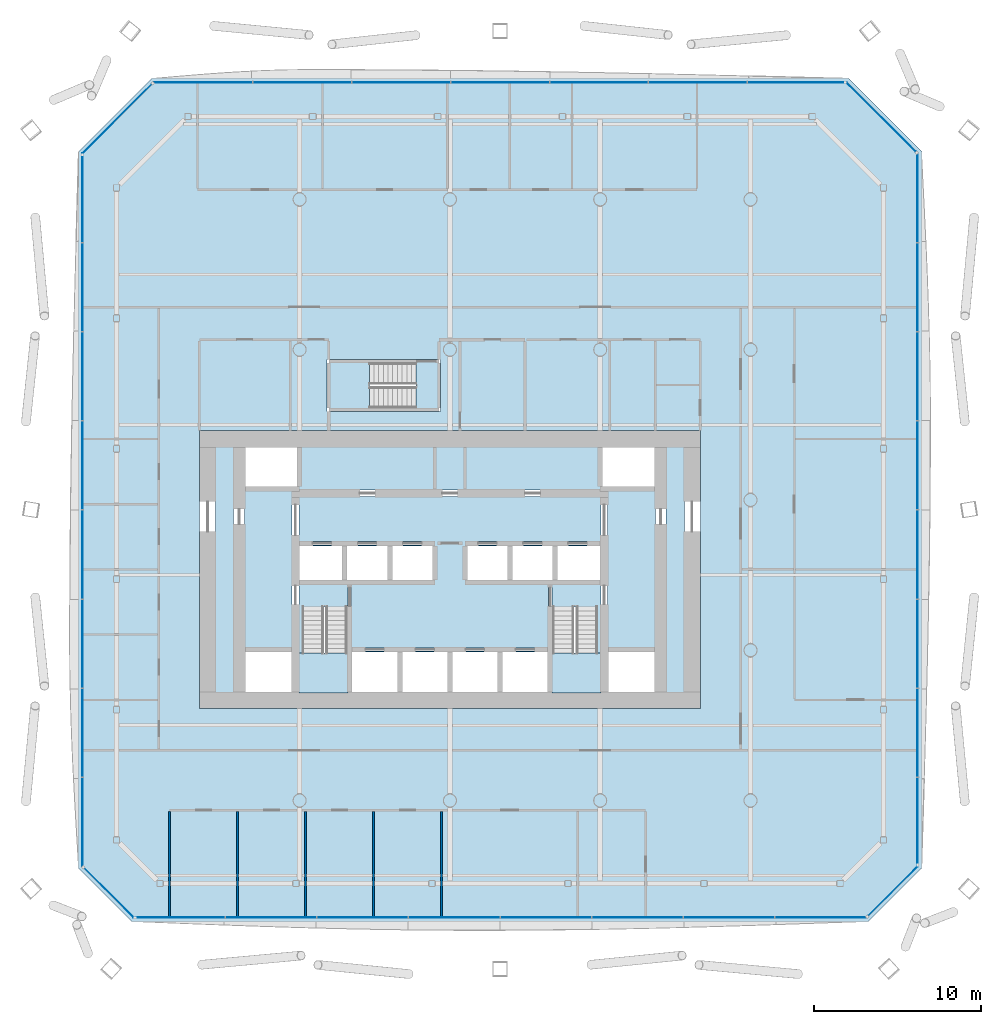
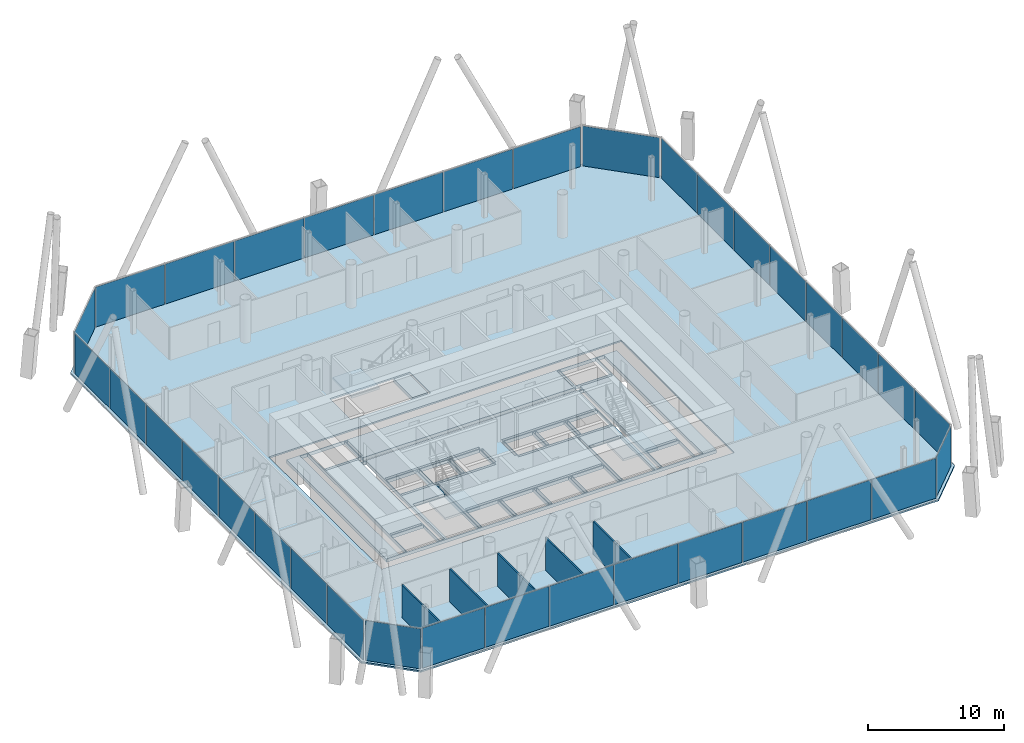
# One storey, part 13 of 22: 35 plates, 6 slabs, 5 walls, 11 elements without a shape of their own.
"""IFC4 building model written with IfcOpenShell, lengths in metres."""

from ifc_helpers import new_model, si_unit, direction, frame, frame_2d, origin, origin_2d, place, context, subcontext, project, spatial, polyline, rectangle, outline, extrude, material, layer, layer_set, type_object, element, aggregate, save


model = new_model("IFC4")

# Units and contexts
model_context = context("Model", 3, precision=1e-05, world=origin(), true_north=direction((0.0, 1.0)))
body_context = subcontext(model_context, "Body", "Model", "MODEL_VIEW")
ifc_project = project(units=[si_unit("LENGTHUNIT", "METRE"), si_unit("AREAUNIT", "SQUARE_METRE"), si_unit("VOLUMEUNIT", "CUBIC_METRE"), si_unit("PLANEANGLEUNIT", "RADIAN"), si_unit("MASSUNIT", "GRAM", prefix="KILO")], contexts=[model_context])

# Site, building, storey
site_placement = place(None, origin())
site = spatial("IfcSite", under=ifc_project, at=site_placement, CompositionType="ELEMENT")
building_placement = place(site_placement, origin())
building = spatial("IfcBuilding", under=site, at=building_placement, Name="Tskaro Facet Tower", CompositionType="ELEMENT")
storey_placement = place(building_placement, frame((0.0, 0.0, 73.800048828125)))
storey = spatial("IfcBuildingStorey", under=building, at=storey_placement, Name="L17", CompositionType="ELEMENT", Elevation=73.800048828125)

# Slab
ifc_material_1 = material(Name="Concrete C30/37", Category="concrete")
ifc_layer_1 = layer(ifc_material_1, 0.139892578125, Name="Concrete C30/37")
ifc_layer_set_1 = layer_set([ifc_layer_1], Name="Concrete C30/37")
slab_type_1 = type_object("IfcSlabType", Name="Composite deck floor slab", PredefinedType="FLOOR", material=ifc_layer_set_1)
slab_1_placement = place(storey_placement, frame((0.0, 0.0, -0.14013671875)))
element("IfcSlab", 1, at=slab_1_placement, inside=storey, type_object=slab_type_1, Name="Floor slab FS3 L17", PredefinedType="FLOOR", context=body_context, shape_type="SweptSolid", body=[
    extrude(outline(polyline([(-19.04296875, -25.260986328125), (25.04296875, -25.260986328125), (28.260986328125, -22.04296875), (28.260986328125, 20.847900390625), (23.847900390625, 25.260986328125), (-17.847900390625, 25.260986328125), (-22.260986328125, 20.847900390625), (-22.260986328125, -22.04296875), (-19.04296875, -25.260986328125)]), holes=[polyline([(-15.0, -12.5), (15.0, -12.5), (15.0, 4.14990234375), (-15.0, 4.14990234375), (-15.0, -12.5)]), polyline([(-7.35009765625, 5.300048828125), (-0.550048828125, 5.300048828125), (-0.550048828125, 8.39990234375), (-7.35009765625, 8.39990234375), (-7.35009765625, 5.300048828125)])]), origin(), (0.0, 0.0, 1.0), 0.14013671875),
])

# Curtain wall, plates
ifc_material_2 = material(Name="Bronze anodised aluminium 6063-T6", Category="aluminium")
curtain_wall_type = type_object("IfcCurtainWallType", Name="Bronze office curtain wall (FW1)", PredefinedType="NOTDEFINED", material=ifc_material_2)
curtain_wall_1_placement = place(storey_placement, origin())
curtain_wall_1 = element("IfcCurtainWall", 2, at=curtain_wall_1_placement, inside=storey, type_object=curtain_wall_type, Name="FW1 south facet L17", PredefinedType="NOTDEFINED")
ifc_material_3 = material(Name="Bronze tinted glass", Category="glass")
ifc_layer_2 = layer(ifc_material_3, 0.031982421875, Name="Bronze tinted glass")
ifc_layer_set_2 = layer_set([ifc_layer_2], Name="Bronze tinted glass")
plate_type = type_object("IfcPlateType", Name="FW1 bronze-tinted unit glazing 32", PredefinedType="CURTAIN_PANEL", material=ifc_layer_set_2)
plate_1_placement = place(storey_placement, frame((-16.131591796875, -25.010986328125, 0.0), z_axis=(0.0, 0.0, 1.0), x_axis=(1.0, 0.0, 0.0)))
plate_1 = element("IfcPlate", 3, at=plate_1_placement, type_object=plate_type, Name="FW1 south glazing 1.1", PredefinedType="CURTAIN_PANEL", context=body_context, shape_type="SweptSolid", body=[
    extrude(rectangle(XDim=5.294677734375, YDim=0.031982421875, at=origin_2d()), origin(), (0.0, 0.0, 1.0), 3.60009765625),
])
plate_2_placement = place(storey_placement, frame((-10.7119140625, -25.010986328125, 0.0), z_axis=(0.0, 0.0, 1.0), x_axis=(1.0, 0.0, 0.0)))
plate_2 = element("IfcPlate", 4, at=plate_2_placement, type_object=plate_type, Name="FW1 south glazing 2.1", PredefinedType="CURTAIN_PANEL", context=body_context, shape_type="SweptSolid", body=[
    extrude(rectangle(XDim=5.4248046875, YDim=0.031982421875, at=origin_2d()), origin(), (0.0, 0.0, 1.0), 3.60009765625),
])
plate_3_placement = place(storey_placement, frame((-5.22705078125, -25.010986328125, 0.0), z_axis=(0.0, 0.0, 1.0), x_axis=(1.0, 0.0, 0.0)))
plate_3 = element("IfcPlate", 5, at=plate_3_placement, type_object=plate_type, Name="FW1 south glazing 3.1", PredefinedType="CURTAIN_PANEL", context=body_context, shape_type="SweptSolid", body=[
    extrude(rectangle(XDim=5.4248046875, YDim=0.031982421875, at=origin_2d()), origin(), (0.0, 0.0, 1.0), 3.60009765625),
])
plate_4_placement = place(storey_placement, frame((0.257568359375, -25.010986328125, 0.0), z_axis=(0.0, 0.0, 1.0), x_axis=(1.0, 0.0, 0.0)))
plate_4 = element("IfcPlate", 6, at=plate_4_placement, type_object=plate_type, Name="FW1 south glazing 4.1", PredefinedType="CURTAIN_PANEL", context=body_context, shape_type="SweptSolid", body=[
    extrude(rectangle(XDim=5.4248046875, YDim=0.031982421875, at=origin_2d()), origin(), (0.0, 0.0, 1.0), 3.60009765625),
])
plate_5_placement = place(storey_placement, frame((5.742431640625, -25.010986328125, 0.0), z_axis=(0.0, 0.0, 1.0), x_axis=(1.0, 0.0, 0.0)))
plate_5 = element("IfcPlate", 7, at=plate_5_placement, type_object=plate_type, Name="FW1 south glazing 5.1", PredefinedType="CURTAIN_PANEL", context=body_context, shape_type="SweptSolid", body=[
    extrude(rectangle(XDim=5.4248046875, YDim=0.031982421875, at=origin_2d()), origin(), (0.0, 0.0, 1.0), 3.60009765625),
])
plate_6_placement = place(storey_placement, frame((11.22705078125, -25.010986328125, 0.0), z_axis=(0.0, 0.0, 1.0), x_axis=(1.0, 0.0, 0.0)))
plate_6 = element("IfcPlate", 8, at=plate_6_placement, type_object=plate_type, Name="FW1 south glazing 6.1", PredefinedType="CURTAIN_PANEL", context=body_context, shape_type="SweptSolid", body=[
    extrude(rectangle(XDim=5.4248046875, YDim=0.031982421875, at=origin_2d()), origin(), (0.0, 0.0, 1.0), 3.60009765625),
])
plate_7_placement = place(storey_placement, frame((16.7119140625, -25.010986328125, 0.0), z_axis=(0.0, 0.0, 1.0), x_axis=(1.0, 0.0, 0.0)))
plate_7 = element("IfcPlate", 9, at=plate_7_placement, type_object=plate_type, Name="FW1 south glazing 7.1", PredefinedType="CURTAIN_PANEL", context=body_context, shape_type="SweptSolid", body=[
    extrude(rectangle(XDim=5.4248046875, YDim=0.031982421875, at=origin_2d()), origin(), (0.0, 0.0, 1.0), 3.60009765625),
])
plate_8_placement = place(storey_placement, frame((22.211669921875, -25.010986328125, 0.0), z_axis=(0.0, 0.0, 1.0), x_axis=(1.0, 0.0, 0.0)))
plate_8 = element("IfcPlate", 10, at=plate_8_placement, type_object=plate_type, Name="FW1 south glazing 8.1", PredefinedType="CURTAIN_PANEL", context=body_context, shape_type="SweptSolid", body=[
    extrude(rectangle(XDim=5.454833984375, YDim=0.031982421875, at=origin_2d()), origin(), (0.0, 0.0, 1.0), 3.60009765625),
])
aggregate(curtain_wall_1, [plate_1, plate_2, plate_3, plate_4, plate_5, plate_6, plate_7, plate_8])

# Curtain wall, plate
curtain_wall_2_placement = place(storey_placement, origin())
curtain_wall_2 = element("IfcCurtainWall", 11, at=curtain_wall_2_placement, inside=storey, type_object=curtain_wall_type, Name="FW1 south-east facet L17", PredefinedType="NOTDEFINED")
plate_9_placement = place(storey_placement, frame((26.531494140625, -23.41845703125, 0.0), z_axis=(0.0, 0.0, 1.0), x_axis=(0.707106781187, 0.707106781187, 0.0)))
plate_9 = element("IfcPlate", 12, at=plate_9_placement, type_object=plate_type, Name="FW1 south-east glazing 1.1", PredefinedType="CURTAIN_PANEL", context=body_context, shape_type="SweptSolid", body=[
    extrude(rectangle(XDim=4.1845703125, YDim=0.031982421875, at=origin_2d()), origin(), (0.0, 0.0, 1.0), 3.60009765625),
])
aggregate(curtain_wall_2, [plate_9])

# Curtain wall, plates
curtain_wall_3_placement = place(storey_placement, origin())
curtain_wall_3 = element("IfcCurtainWall", 13, at=curtain_wall_3_placement, inside=storey, type_object=curtain_wall_type, Name="FW1 east facet L17", PredefinedType="NOTDEFINED")
plate_10_placement = place(storey_placement, frame((28.010986328125, -19.206298828125, 0.0), z_axis=(0.0, 0.0, 1.0), x_axis=(0.0, 1.0, 0.0)))
plate_10 = element("IfcPlate", 14, at=plate_10_placement, type_object=plate_type, Name="FW1 east glazing 1.1", PredefinedType="CURTAIN_PANEL", context=body_context, shape_type="SweptSolid", body=[
    extrude(rectangle(XDim=5.145263671875, YDim=0.031982421875, at=origin_2d()), origin(), (0.0, 0.0, 1.0), 3.60009765625),
])
plate_11_placement = place(storey_placement, frame((28.010986328125, -13.93603515625, 0.0), z_axis=(0.0, 0.0, 1.0), x_axis=(0.0, 1.0, 0.0)))
plate_11 = element("IfcPlate", 15, at=plate_11_placement, type_object=plate_type, Name="FW1 east glazing 2.1", PredefinedType="CURTAIN_PANEL", context=body_context, shape_type="SweptSolid", body=[
    extrude(rectangle(XDim=5.275390625, YDim=0.031982421875, at=origin_2d()), origin(), (0.0, 0.0, 1.0), 3.60009765625),
])
plate_12_placement = place(storey_placement, frame((28.010986328125, -8.6005859375, 0.0), z_axis=(0.0, 0.0, 1.0), x_axis=(0.0, 1.0, 0.0)))
plate_12 = element("IfcPlate", 16, at=plate_12_placement, type_object=plate_type, Name="FW1 east glazing 3.1", PredefinedType="CURTAIN_PANEL", context=body_context, shape_type="SweptSolid", body=[
    extrude(rectangle(XDim=5.275390625, YDim=0.031982421875, at=origin_2d()), origin(), (0.0, 0.0, 1.0), 3.60009765625),
])
plate_13_placement = place(storey_placement, frame((28.010986328125, -3.26513671875, 0.0), z_axis=(0.0, 0.0, 1.0), x_axis=(0.0, 1.0, 0.0)))
plate_13 = element("IfcPlate", 17, at=plate_13_placement, type_object=plate_type, Name="FW1 east glazing 4.1", PredefinedType="CURTAIN_PANEL", context=body_context, shape_type="SweptSolid", body=[
    extrude(rectangle(XDim=5.275390625, YDim=0.031982421875, at=origin_2d()), origin(), (0.0, 0.0, 1.0), 3.60009765625),
])
plate_14_placement = place(storey_placement, frame((28.010986328125, 2.070068359375, 0.0), z_axis=(0.0, 0.0, 1.0), x_axis=(0.0, 1.0, 0.0)))
plate_14 = element("IfcPlate", 18, at=plate_14_placement, type_object=plate_type, Name="FW1 east glazing 5.1", PredefinedType="CURTAIN_PANEL", context=body_context, shape_type="SweptSolid", body=[
    extrude(rectangle(XDim=5.275390625, YDim=0.031982421875, at=origin_2d()), origin(), (0.0, 0.0, 1.0), 3.60009765625),
])
plate_15_placement = place(storey_placement, frame((28.010986328125, 7.405517578125, 0.0), z_axis=(0.0, 0.0, 1.0), x_axis=(0.0, 1.0, 0.0)))
plate_15 = element("IfcPlate", 19, at=plate_15_placement, type_object=plate_type, Name="FW1 east glazing 6.1", PredefinedType="CURTAIN_PANEL", context=body_context, shape_type="SweptSolid", body=[
    extrude(rectangle(XDim=5.275390625, YDim=0.031982421875, at=origin_2d()), origin(), (0.0, 0.0, 1.0), 3.60009765625),
])
plate_16_placement = place(storey_placement, frame((28.010986328125, 12.740966796875, 0.0), z_axis=(0.0, 0.0, 1.0), x_axis=(0.0, 1.0, 0.0)))
plate_16 = element("IfcPlate", 20, at=plate_16_placement, type_object=plate_type, Name="FW1 east glazing 7.1", PredefinedType="CURTAIN_PANEL", context=body_context, shape_type="SweptSolid", body=[
    extrude(rectangle(XDim=5.275390625, YDim=0.031982421875, at=origin_2d()), origin(), (0.0, 0.0, 1.0), 3.60009765625),
])
plate_17_placement = place(storey_placement, frame((28.010986328125, 18.09130859375, 0.0), z_axis=(0.0, 0.0, 1.0), x_axis=(0.0, 1.0, 0.0)))
plate_17 = element("IfcPlate", 21, at=plate_17_placement, type_object=plate_type, Name="FW1 east glazing 8.1", PredefinedType="CURTAIN_PANEL", context=body_context, shape_type="SweptSolid", body=[
    extrude(rectangle(XDim=5.305419921875, YDim=0.031982421875, at=origin_2d()), origin(), (0.0, 0.0, 1.0), 3.60009765625),
])
aggregate(curtain_wall_3, [plate_10, plate_11, plate_12, plate_13, plate_14, plate_15, plate_16, plate_17])

# Curtain wall, plate
curtain_wall_4_placement = place(storey_placement, origin())
curtain_wall_4 = element("IfcCurtainWall", 22, at=curtain_wall_4_placement, inside=storey, type_object=curtain_wall_type, Name="FW1 north-east facet L17", PredefinedType="NOTDEFINED")
plate_18_placement = place(storey_placement, frame((25.821044921875, 22.93408203125, 0.0), z_axis=(0.0, 0.0, 1.0), x_axis=(-0.707106781187, 0.707106781187, 0.0)))
plate_18 = element("IfcPlate", 23, at=plate_18_placement, type_object=plate_type, Name="FW1 north-east glazing 1.1", PredefinedType="CURTAIN_PANEL", context=body_context, shape_type="SweptSolid", body=[
    extrude(rectangle(XDim=5.87451171875, YDim=0.031982421875, at=origin_2d()), origin(), (0.0, 0.0, 1.0), 3.60009765625),
])
aggregate(curtain_wall_4, [plate_18])

# Curtain wall, plates
curtain_wall_5_placement = place(storey_placement, origin())
curtain_wall_5 = element("IfcCurtainWall", 24, at=curtain_wall_5_placement, inside=storey, type_object=curtain_wall_type, Name="FW1 north facet L17", PredefinedType="NOTDEFINED")
plate_19_placement = place(storey_placement, frame((20.715576171875, 25.010986328125, 0.0), z_axis=(0.0, 0.0, 1.0), x_axis=(-1.0, 0.0, 0.0)))
plate_19 = element("IfcPlate", 25, at=plate_19_placement, type_object=plate_type, Name="FW1 north glazing 1.1", PredefinedType="CURTAIN_PANEL", context=body_context, shape_type="SweptSolid", body=[
    extrude(rectangle(XDim=5.73681640625, YDim=0.031982421875, at=origin_2d()), origin(), (0.0, 0.0, 1.0), 3.60009765625),
])
plate_20_placement = place(storey_placement, frame((14.853759765625, 25.010986328125, 0.0), z_axis=(0.0, 0.0, 1.0), x_axis=(-1.0, 0.0, 0.0)))
plate_20 = element("IfcPlate", 26, at=plate_20_placement, type_object=plate_type, Name="FW1 north glazing 2.1", PredefinedType="CURTAIN_PANEL", context=body_context, shape_type="SweptSolid", body=[
    extrude(rectangle(XDim=5.866943359375, YDim=0.031982421875, at=origin_2d()), origin(), (0.0, 0.0, 1.0), 3.60009765625),
])
plate_21_placement = place(storey_placement, frame((8.9267578125, 25.010986328125, 0.0), z_axis=(0.0, 0.0, 1.0), x_axis=(-1.0, 0.0, 0.0)))
plate_21 = element("IfcPlate", 27, at=plate_21_placement, type_object=plate_type, Name="FW1 north glazing 3.1", PredefinedType="CURTAIN_PANEL", context=body_context, shape_type="SweptSolid", body=[
    extrude(rectangle(XDim=5.866943359375, YDim=0.031982421875, at=origin_2d()), origin(), (0.0, 0.0, 1.0), 3.60009765625),
])
plate_22_placement = place(storey_placement, frame((3.0, 25.010986328125, 0.0), z_axis=(0.0, 0.0, 1.0), x_axis=(-1.0, 0.0, 0.0)))
plate_22 = element("IfcPlate", 28, at=plate_22_placement, type_object=plate_type, Name="FW1 north glazing 4.1", PredefinedType="CURTAIN_PANEL", context=body_context, shape_type="SweptSolid", body=[
    extrude(rectangle(XDim=5.866943359375, YDim=0.031982421875, at=origin_2d()), origin(), (0.0, 0.0, 1.0), 3.60009765625),
])
plate_23_placement = place(storey_placement, frame((-2.9267578125, 25.010986328125, 0.0), z_axis=(0.0, 0.0, 1.0), x_axis=(-1.0, 0.0, 0.0)))
plate_23 = element("IfcPlate", 29, at=plate_23_placement, type_object=plate_type, Name="FW1 north glazing 5.1", PredefinedType="CURTAIN_PANEL", context=body_context, shape_type="SweptSolid", body=[
    extrude(rectangle(XDim=5.866943359375, YDim=0.031982421875, at=origin_2d()), origin(), (0.0, 0.0, 1.0), 3.60009765625),
])
plate_24_placement = place(storey_placement, frame((-8.853759765625, 25.010986328125, 0.0), z_axis=(0.0, 0.0, 1.0), x_axis=(-1.0, 0.0, 0.0)))
plate_24 = element("IfcPlate", 30, at=plate_24_placement, type_object=plate_type, Name="FW1 north glazing 6.1", PredefinedType="CURTAIN_PANEL", context=body_context, shape_type="SweptSolid", body=[
    extrude(rectangle(XDim=5.866943359375, YDim=0.031982421875, at=origin_2d()), origin(), (0.0, 0.0, 1.0), 3.60009765625),
])
plate_25_placement = place(storey_placement, frame((-14.795654296875, 25.010986328125, 0.0), z_axis=(0.0, 0.0, 1.0), x_axis=(-1.0, 0.0, 0.0)))
plate_25 = element("IfcPlate", 31, at=plate_25_placement, type_object=plate_type, Name="FW1 north glazing 7.1", PredefinedType="CURTAIN_PANEL", context=body_context, shape_type="SweptSolid", body=[
    extrude(rectangle(XDim=5.89697265625, YDim=0.031982421875, at=origin_2d()), origin(), (0.0, 0.0, 1.0), 3.60009765625),
])
aggregate(curtain_wall_5, [plate_19, plate_20, plate_21, plate_22, plate_23, plate_24, plate_25])

# Curtain wall, plate
curtain_wall_6_placement = place(storey_placement, origin())
curtain_wall_6 = element("IfcCurtainWall", 32, at=curtain_wall_6_placement, inside=storey, type_object=curtain_wall_type, Name="FW1 north-west facet L17", PredefinedType="NOTDEFINED")
plate_26_placement = place(storey_placement, frame((-19.93408203125, 22.821044921875, 0.0), z_axis=(0.0, 0.0, 1.0), x_axis=(-0.707106781187, -0.707106781187, 0.0)))
plate_26 = element("IfcPlate", 33, at=plate_26_placement, type_object=plate_type, Name="FW1 north-west glazing 1.1", PredefinedType="CURTAIN_PANEL", context=body_context, shape_type="SweptSolid", body=[
    extrude(rectangle(XDim=5.87451171875, YDim=0.031982421875, at=origin_2d()), origin(), (0.0, 0.0, 1.0), 3.60009765625),
])
aggregate(curtain_wall_6, [plate_26])

# Curtain wall, plates
curtain_wall_7_placement = place(storey_placement, origin())
curtain_wall_7 = element("IfcCurtainWall", 34, at=curtain_wall_7_placement, inside=storey, type_object=curtain_wall_type, Name="FW1 west facet L17", PredefinedType="NOTDEFINED")
plate_27_placement = place(storey_placement, frame((-22.010986328125, 18.01123046875, 0.0), z_axis=(0.0, 0.0, 1.0), x_axis=(0.0, -1.0, 0.0)))
plate_27 = element("IfcPlate", 35, at=plate_27_placement, type_object=plate_type, Name="FW1 west glazing 1.1", PredefinedType="CURTAIN_PANEL", context=body_context, shape_type="SweptSolid", body=[
    extrude(rectangle(XDim=5.145263671875, YDim=0.031982421875, at=origin_2d()), origin(), (0.0, 0.0, 1.0), 3.60009765625),
])
plate_28_placement = place(storey_placement, frame((-22.010986328125, 12.740966796875, 0.0), z_axis=(0.0, 0.0, 1.0), x_axis=(0.0, -1.0, 0.0)))
plate_28 = element("IfcPlate", 36, at=plate_28_placement, type_object=plate_type, Name="FW1 west glazing 2.1", PredefinedType="CURTAIN_PANEL", context=body_context, shape_type="SweptSolid", body=[
    extrude(rectangle(XDim=5.275390625, YDim=0.031982421875, at=origin_2d()), origin(), (0.0, 0.0, 1.0), 3.60009765625),
])
plate_29_placement = place(storey_placement, frame((-22.010986328125, 7.405517578125, 0.0), z_axis=(0.0, 0.0, 1.0), x_axis=(0.0, -1.0, 0.0)))
plate_29 = element("IfcPlate", 37, at=plate_29_placement, type_object=plate_type, Name="FW1 west glazing 3.1", PredefinedType="CURTAIN_PANEL", context=body_context, shape_type="SweptSolid", body=[
    extrude(rectangle(XDim=5.275390625, YDim=0.031982421875, at=origin_2d()), origin(), (0.0, 0.0, 1.0), 3.60009765625),
])
plate_30_placement = place(storey_placement, frame((-22.010986328125, 2.070068359375, 0.0), z_axis=(0.0, 0.0, 1.0), x_axis=(0.0, -1.0, 0.0)))
plate_30 = element("IfcPlate", 38, at=plate_30_placement, type_object=plate_type, Name="FW1 west glazing 4.1", PredefinedType="CURTAIN_PANEL", context=body_context, shape_type="SweptSolid", body=[
    extrude(rectangle(XDim=5.275390625, YDim=0.031982421875, at=origin_2d()), origin(), (0.0, 0.0, 1.0), 3.60009765625),
])
plate_31_placement = place(storey_placement, frame((-22.010986328125, -3.26513671875, 0.0), z_axis=(0.0, 0.0, 1.0), x_axis=(0.0, -1.0, 0.0)))
plate_31 = element("IfcPlate", 39, at=plate_31_placement, type_object=plate_type, Name="FW1 west glazing 5.1", PredefinedType="CURTAIN_PANEL", context=body_context, shape_type="SweptSolid", body=[
    extrude(rectangle(XDim=5.275390625, YDim=0.031982421875, at=origin_2d()), origin(), (0.0, 0.0, 1.0), 3.60009765625),
])
plate_32_placement = place(storey_placement, frame((-22.010986328125, -8.6005859375, 0.0), z_axis=(0.0, 0.0, 1.0), x_axis=(0.0, -1.0, 0.0)))
plate_32 = element("IfcPlate", 40, at=plate_32_placement, type_object=plate_type, Name="FW1 west glazing 6.1", PredefinedType="CURTAIN_PANEL", context=body_context, shape_type="SweptSolid", body=[
    extrude(rectangle(XDim=5.275390625, YDim=0.031982421875, at=origin_2d()), origin(), (0.0, 0.0, 1.0), 3.60009765625),
])
plate_33_placement = place(storey_placement, frame((-22.010986328125, -13.93603515625, 0.0), z_axis=(0.0, 0.0, 1.0), x_axis=(0.0, -1.0, 0.0)))
plate_33 = element("IfcPlate", 41, at=plate_33_placement, type_object=plate_type, Name="FW1 west glazing 7.1", PredefinedType="CURTAIN_PANEL", context=body_context, shape_type="SweptSolid", body=[
    extrude(rectangle(XDim=5.275390625, YDim=0.031982421875, at=origin_2d()), origin(), (0.0, 0.0, 1.0), 3.60009765625),
])
plate_34_placement = place(storey_placement, frame((-22.010986328125, -19.286376953125, 0.0), z_axis=(0.0, 0.0, 1.0), x_axis=(0.0, -1.0, 0.0)))
plate_34 = element("IfcPlate", 42, at=plate_34_placement, type_object=plate_type, Name="FW1 west glazing 8.1", PredefinedType="CURTAIN_PANEL", context=body_context, shape_type="SweptSolid", body=[
    extrude(rectangle(XDim=5.305419921875, YDim=0.031982421875, at=origin_2d()), origin(), (0.0, 0.0, 1.0), 3.60009765625),
])
aggregate(curtain_wall_7, [plate_27, plate_28, plate_29, plate_30, plate_31, plate_32, plate_33, plate_34])

# Curtain wall, plate
curtain_wall_8_placement = place(storey_placement, origin())
curtain_wall_8 = element("IfcCurtainWall", 43, at=curtain_wall_8_placement, inside=storey, type_object=curtain_wall_type, Name="FW1 south-west facet L17", PredefinedType="NOTDEFINED")
plate_35_placement = place(storey_placement, frame((-20.41845703125, -23.531494140625, 0.0), z_axis=(0.0, 0.0, 1.0), x_axis=(0.707106781187, -0.707106781187, 0.0)))
plate_35 = element("IfcPlate", 44, at=plate_35_placement, type_object=plate_type, Name="FW1 south-west glazing 1.1", PredefinedType="CURTAIN_PANEL", context=body_context, shape_type="SweptSolid", body=[
    extrude(rectangle(XDim=4.1845703125, YDim=0.031982421875, at=origin_2d()), origin(), (0.0, 0.0, 1.0), 3.60009765625),
])
aggregate(curtain_wall_8, [plate_35])

# Stair, slab
ifc_material_4 = material(Name="Concrete C40/50", Category="concrete")
stair_type = type_object("IfcStairType", Name="ST-TWR", PredefinedType="HALF_TURN_STAIR", material=ifc_material_4)
stair_1_placement = place(storey_placement, origin())
stair_1 = element("IfcStair", 45, at=stair_1_placement, inside=storey, type_object=stair_type, Name="L17 Exit stair 1", PredefinedType="HALF_TURN_STAIR")
ifc_layer_3 = layer(ifc_material_4, 0.199951171875, Name="Concrete C40/50")
ifc_layer_set_3 = layer_set([ifc_layer_3], Name="Concrete C40/50")
slab_type_2 = type_object("IfcSlabType", Name="SL-LANDING", PredefinedType="LANDING", material=ifc_layer_set_3)
slab_2_placement = place(storey_placement, frame((0.0, 0.0, 1.75)))
slab_2 = element("IfcSlab", 46, at=slab_2_placement, type_object=slab_type_2, Name="ST-1 landing 1", PredefinedType="LANDING", context=body_context, shape_type="SweptSolid", body=[
    extrude(outline(polyline([(-9.050048828125, -11.550048828125), (-6.10009765625, -11.550048828125), (-6.10009765625, -9.175048828125), (-9.050048828125, -9.175048828125), (-9.050048828125, -11.550048828125)])), origin(), (0.0, 0.0, 1.0), 0.199951171875),
])
aggregate(stair_1, [slab_2])

stair_2_placement = place(storey_placement, origin())
stair_2 = element("IfcStair", 47, at=stair_2_placement, inside=storey, type_object=stair_type, Name="L17 Exit stair 2", PredefinedType="HALF_TURN_STAIR")
slab_3_placement = place(storey_placement, frame((0.0, 0.0, 1.75)))
slab_3 = element("IfcSlab", 48, at=slab_3_placement, type_object=slab_type_2, Name="ST-2 landing 1", PredefinedType="LANDING", context=body_context, shape_type="SweptSolid", body=[
    extrude(outline(polyline([(6.10009765625, -11.550048828125), (9.050048828125, -11.550048828125), (9.050048828125, -9.175048828125), (6.10009765625, -9.175048828125), (6.10009765625, -11.550048828125)])), origin(), (0.0, 0.0, 1.0), 0.199951171875),
])
aggregate(stair_2, [slab_3])

stair_3_placement = place(storey_placement, origin())
stair_3 = element("IfcStair", 49, at=stair_3_placement, inside=storey, type_object=stair_type, Name="L17 Exit stair 3", PredefinedType="HALF_TURN_STAIR")
slab_4_placement = place(storey_placement, frame((0.0, 0.0, 1.75)))
slab_4 = element("IfcSlab", 50, at=slab_4_placement, type_object=slab_type_2, Name="ST-3 landing 1", PredefinedType="LANDING", context=body_context, shape_type="SweptSolid", body=[
    extrude(outline(polyline([(-7.199951171875, 5.449951171875), (-4.824951171875, 5.449951171875), (-4.824951171875, 8.25), (-7.199951171875, 8.25), (-7.199951171875, 5.449951171875)])), origin(), (0.0, 0.0, 1.0), 0.199951171875),
])
aggregate(stair_3, [slab_4])

# Slabs
ifc_material_5 = material(Name="Concrete C60/75", Category="concrete")
ifc_layer_4 = layer(ifc_material_5, 0.300048828125, Name="Concrete C60/75")
ifc_layer_set_4 = layer_set([ifc_layer_4], Name="Concrete C60/75")
slab_type_3 = type_object("IfcSlabType", Name="SLAB-CORE", PredefinedType="FLOOR", material=ifc_layer_set_4)
slab_5_placement = place(storey_placement, frame((0.0, 0.0, -0.300048828125)))
element("IfcSlab", 51, at=slab_5_placement, inside=storey, type_object=slab_type_3, Name="Core floor slab 1", PredefinedType="FLOOR", context=body_context, shape_type="SweptSolid", body=[
    extrude(outline(polyline([(-14.050048828125, 3.199951171875), (14.050048828125, 3.199951171875), (14.050048828125, 3.10009765625), (14.050048828125, -11.449951171875), (14.050048828125, -11.550048828125), (-14.050048828125, -11.550048828125), (-14.050048828125, -11.449951171875), (-14.050048828125, 3.10009765625), (-14.050048828125, 3.199951171875)]), holes=[polyline([(-9.5, -9.10009765625), (-12.25, -9.10009765625), (-12.25, -11.5), (-9.5, -11.5), (-9.5, -9.10009765625)]), polyline([(-3.14990234375, -9.10009765625), (-5.85009765625, -9.10009765625), (-5.85009765625, -11.5), (-3.14990234375, -11.5), (-3.14990234375, -9.10009765625)]), polyline([(-12.199951171875, -8.85009765625), (-12.199951171875, -9.050048828125), (-9.550048828125, -9.050048828125), (-9.550048828125, -8.85009765625), (-12.199951171875, -8.85009765625)]), polyline([(-6.10009765625, -11.449951171875), (-5.89990234375, -11.449951171875), (-5.89990234375, -5.14990234375), (-6.10009765625, -5.14990234375), (-6.10009765625, -11.449951171875)]), polyline([(-9.449951171875, 0.10009765625), (-9.449951171875, -11.449951171875), (-9.050048828125, -11.449951171875), (-9.050048828125, 0.10009765625), (-9.449951171875, 0.10009765625)]), polyline([(-8.949951171875, -4.85009765625), (-8.949951171875, -5.050048828125), (-0.949951171875, -5.050048828125), (-0.949951171875, -4.85009765625), (-8.949951171875, -4.85009765625)]), polyline([(-12.949951171875, -11.449951171875), (-12.300048828125, -11.449951171875), (-12.300048828125, 3.10009765625), (-12.949951171875, 3.10009765625), (-12.949951171875, -11.449951171875)]), polyline([(-6.449951171875, -4.800048828125), (-6.449951171875, -2.75), (-9.0, -2.75), (-9.0, -4.800048828125), (-6.449951171875, -4.800048828125)]), polyline([(-3.75, -2.75), (-6.14990234375, -2.75), (-6.14990234375, -4.800048828125), (-3.75, -4.800048828125), (-3.75, -2.75)]), polyline([(-6.39990234375, -2.800048828125), (-6.39990234375, -4.75), (-6.199951171875, -4.75), (-6.199951171875, -2.800048828125), (-6.39990234375, -2.800048828125)]), polyline([(-8.949951171875, -2.5), (-8.949951171875, -2.699951171875), (-0.949951171875, -2.699951171875), (-0.949951171875, -2.5), (-8.949951171875, -2.5)]), polyline([(9.449951171875, 0.550048828125), (12.199951171875, 0.550048828125), (12.199951171875, 0.75), (9.050048828125, 0.75), (9.050048828125, 0.60009765625), (-9.050048828125, 0.60009765625), (-9.050048828125, 0.75), (-12.199951171875, 0.75), (-12.199951171875, 0.550048828125), (-9.449951171875, 0.550048828125), (-9.449951171875, 0.199951171875), (9.449951171875, 0.199951171875), (9.449951171875, 0.550048828125)]), polyline([(-9.10009765625, 3.10009765625), (-9.10009765625, 0.85009765625), (-8.89990234375, 0.85009765625), (-8.89990234375, 3.10009765625), (-9.10009765625, 3.10009765625)]), polyline([(-9.14990234375, 0.800048828125), (-9.14990234375, 3.14990234375), (-12.25, 3.14990234375), (-12.25, 0.800048828125), (-9.14990234375, 0.800048828125)]), polyline([(2.89990234375, -11.449951171875), (3.10009765625, -11.449951171875), (3.10009765625, -9.14990234375), (2.89990234375, -9.14990234375), (2.89990234375, -11.449951171875)]), polyline([(-3.10009765625, -9.14990234375), (-3.10009765625, -11.449951171875), (-2.89990234375, -11.449951171875), (-2.89990234375, -9.14990234375), (-3.10009765625, -9.14990234375)]), polyline([(2.85009765625, -9.10009765625), (0.14990234375, -9.10009765625), (0.14990234375, -11.5), (2.85009765625, -11.5), (2.85009765625, -9.10009765625)]), polyline([(-0.14990234375, -9.10009765625), (-2.85009765625, -9.10009765625), (-2.85009765625, -11.5), (-0.14990234375, -11.5), (-0.14990234375, -9.10009765625)]), polyline([(-0.10009765625, -9.14990234375), (-0.10009765625, -11.449951171875), (0.10009765625, -11.449951171875), (0.10009765625, -9.14990234375), (-0.10009765625, -9.14990234375)]), polyline([(-5.800048828125, -8.85009765625), (-5.800048828125, -9.050048828125), (5.800048828125, -9.050048828125), (5.800048828125, -8.85009765625), (-5.800048828125, -8.85009765625)]), polyline([(-1.0, -2.800048828125), (-1.0, -4.75), (-0.800048828125, -4.75), (-0.800048828125, -2.800048828125), (-1.0, -2.800048828125)]), polyline([(0.800048828125, -4.75), (1.0, -4.75), (1.0, -2.800048828125), (0.800048828125, -2.800048828125), (0.800048828125, -4.75)]), polyline([(-1.050048828125, -4.800048828125), (-1.050048828125, -2.75), (-3.449951171875, -2.75), (-3.449951171875, -4.800048828125), (-1.050048828125, -4.800048828125)]), polyline([(1.050048828125, -2.75), (1.050048828125, -4.800048828125), (3.449951171875, -4.800048828125), (3.449951171875, -2.75), (1.050048828125, -2.75)]), polyline([(-3.699951171875, -4.75), (-3.5, -4.75), (-3.5, -2.800048828125), (-3.699951171875, -2.800048828125), (-3.699951171875, -4.75)]), polyline([(3.14990234375, -9.10009765625), (3.14990234375, -11.5), (5.85009765625, -11.5), (5.85009765625, -9.10009765625), (3.14990234375, -9.10009765625)]), polyline([(12.25, -11.5), (12.25, -9.10009765625), (9.5, -9.10009765625), (9.5, -11.5), (12.25, -11.5)]), polyline([(9.550048828125, -8.85009765625), (9.550048828125, -9.050048828125), (12.199951171875, -9.050048828125), (12.199951171875, -8.85009765625), (9.550048828125, -8.85009765625)]), polyline([(5.89990234375, -11.449951171875), (6.10009765625, -11.449951171875), (6.10009765625, -5.14990234375), (5.89990234375, -5.14990234375), (5.89990234375, -11.449951171875)]), polyline([(9.050048828125, 0.10009765625), (9.050048828125, -11.449951171875), (9.449951171875, -11.449951171875), (9.449951171875, 0.10009765625), (9.050048828125, 0.10009765625)]), polyline([(0.949951171875, -4.85009765625), (0.949951171875, -5.050048828125), (8.949951171875, -5.050048828125), (8.949951171875, -4.85009765625), (0.949951171875, -4.85009765625)]), polyline([(12.300048828125, -11.449951171875), (12.949951171875, -11.449951171875), (12.949951171875, 3.10009765625), (12.300048828125, 3.10009765625), (12.300048828125, -11.449951171875)]), polyline([(3.5, -2.800048828125), (3.5, -4.75), (3.699951171875, -4.75), (3.699951171875, -2.800048828125), (3.5, -2.800048828125)]), polyline([(6.14990234375, -2.75), (3.75, -2.75), (3.75, -4.800048828125), (6.14990234375, -4.800048828125), (6.14990234375, -2.75)]), polyline([(6.199951171875, -2.800048828125), (6.199951171875, -4.75), (6.39990234375, -4.75), (6.39990234375, -2.800048828125), (6.199951171875, -2.800048828125)]), polyline([(6.449951171875, -2.75), (6.449951171875, -4.800048828125), (9.0, -4.800048828125), (9.0, -2.75), (6.449951171875, -2.75)]), polyline([(0.949951171875, -2.5), (0.949951171875, -2.699951171875), (8.949951171875, -2.699951171875), (8.949951171875, -2.5), (0.949951171875, -2.5)]), polyline([(8.89990234375, 3.10009765625), (8.89990234375, 0.85009765625), (9.10009765625, 0.85009765625), (9.10009765625, 3.10009765625), (8.89990234375, 3.10009765625)]), polyline([(9.14990234375, 0.800048828125), (12.25, 0.800048828125), (12.25, 3.14990234375), (9.14990234375, 3.14990234375), (9.14990234375, 0.800048828125)]), polyline([(-8.85009765625, -11.5), (-6.14990234375, -11.5), (-6.14990234375, -6.39501953125), (-8.85009765625, -6.39501953125), (-8.85009765625, -11.5)]), polyline([(6.14990234375, -6.39501953125), (6.14990234375, -11.5), (8.85009765625, -11.5), (8.85009765625, -6.39501953125), (6.14990234375, -6.39501953125)])]), origin(), (0.0, 0.0, 1.0), 0.300048828125),
])
slab_6_placement = place(storey_placement, frame((0.0, 0.0, -0.300048828125)))
element("IfcSlab", 52, at=slab_6_placement, inside=storey, type_object=slab_type_3, Name="Stair 3 floor landing 1", PredefinedType="FLOOR", context=body_context, shape_type="SweptSolid", body=[
    extrude(outline(polyline([(-2.02490234375, 5.449951171875), (-0.699951171875, 5.449951171875), (-0.699951171875, 8.25), (-2.02490234375, 8.25), (-2.02490234375, 5.449951171875)])), origin(), (0.0, 0.0, 1.0), 0.300048828125),
])

# Walls
ifc_material_6 = material(Name="Gypsum board on steel studs", Category="steel")
ifc_layer_5 = layer(ifc_material_6, 0.125, Name="Gypsum board on steel studs")
ifc_layer_set_5 = layer_set([ifc_layer_5], Name="Gypsum board on steel studs")
wall_type = type_object("IfcWallType", Name="PART", PredefinedType="PARTITIONING", material=ifc_layer_set_5)
for number, where, z_axis, x_axis, name in (
    (53, (-16.783935546875, -24.9609375, 0.0), (0.0, 0.0, 1.0), (0.0, 1.0, 0.0), "Partition W031"),
    (54, (-12.7109375, -24.9609375, 0.0), (0.0, 0.0, 1.0), (0.0, 1.0, 0.0), "Partition W034"),
    (55, (-8.637939453125, -24.9609375, 0.0), (0.0, 0.0, 1.0), (0.0, 1.0, 0.0), "Partition W037"),
    (56, (-4.56591796875, -24.9609375, 0.0), (0.0, 0.0, 1.0), (0.0, 1.0, 0.0), "Partition W044"),
    (57, (-0.492919921875, -24.9609375, 0.0), (0.0, 0.0, 1.0), (0.0, 1.0, 0.0), "Partition W051"),
):
    element("IfcWall", number, at=place(storey_placement, frame(where, z_axis=z_axis, x_axis=x_axis)), inside=storey, type_object=wall_type, Name=name, PredefinedType="PARTITIONING", context=body_context, shape_type="SweptSolid", body=[
        extrude(rectangle(XDim=6.318359375, YDim=0.125, at=frame_2d((3.1591796875, 0.0))), origin(), (0.0, 0.0, 1.0), 2.9599609375),
    ])

save(model, "model.ifc")
